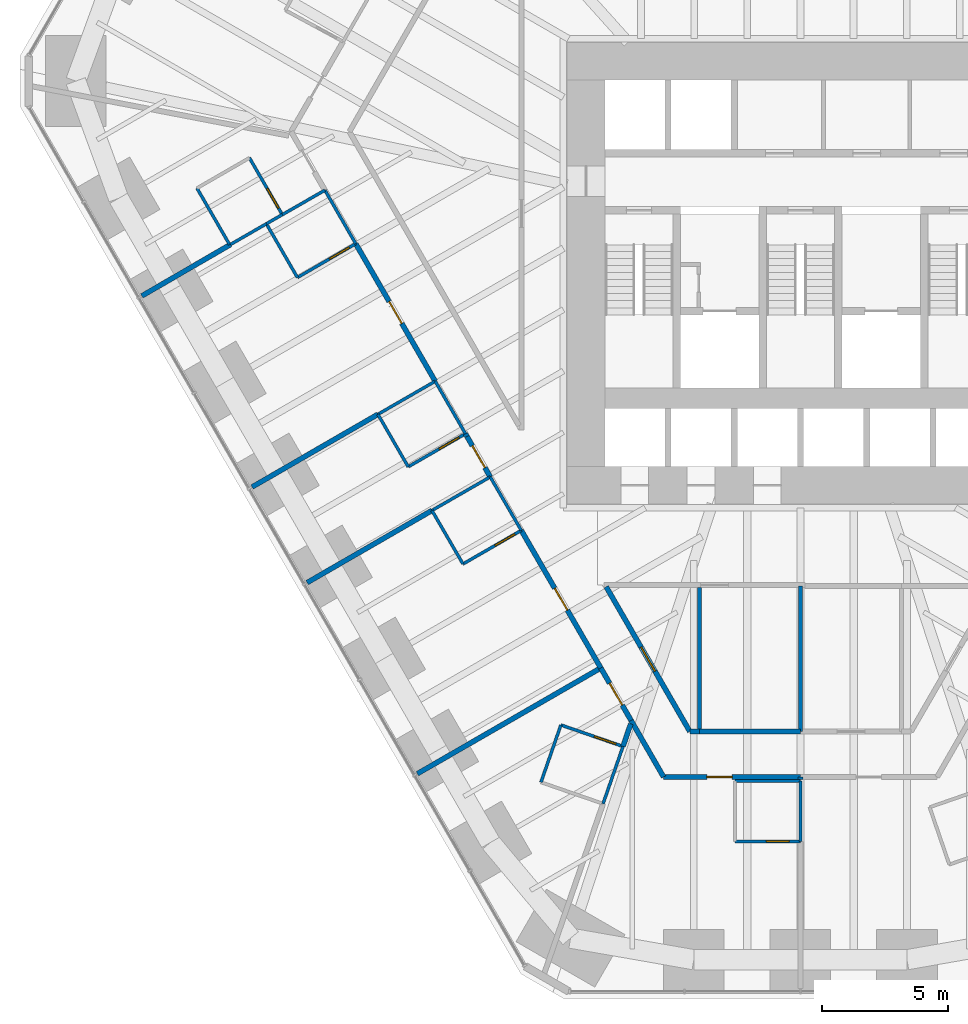
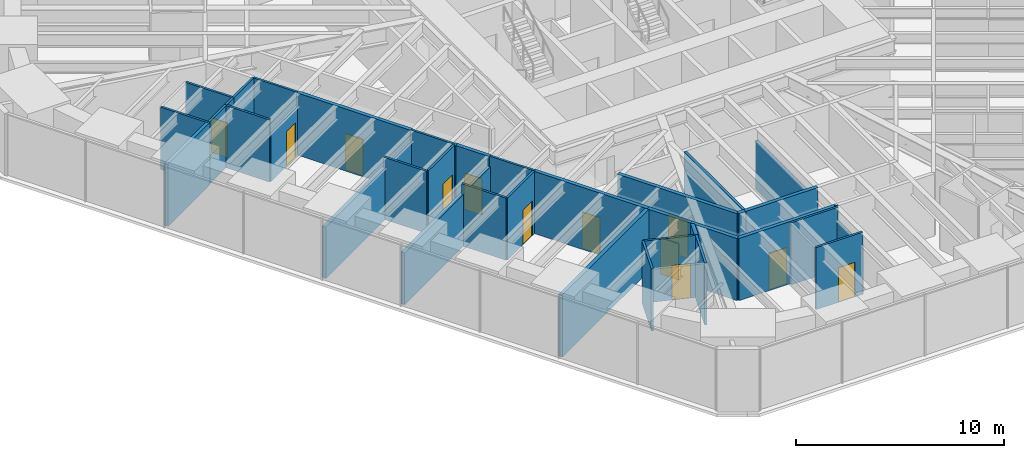
# One storey, part 11 of 17: 40 walls, 12 doors, 12 openings.
"""IFC4 building model written with IfcOpenShell, lengths in metres."""

from ifc_helpers import new_model, si_unit, direction, frame, frame_2d, origin, place, context, subcontext, project, spatial, rectangle, extrude, material, layer, layer_set, type_object, element, fill, save


model = new_model("IFC4")

# Units and contexts
model_context = context("Model", 3, precision=1e-05, world=origin(), true_north=direction((0.0, 1.0)))
body_context = subcontext(model_context, "Body", "Model", "MODEL_VIEW")
ifc_project = project(units=[si_unit("LENGTHUNIT", "METRE"), si_unit("AREAUNIT", "SQUARE_METRE"), si_unit("VOLUMEUNIT", "CUBIC_METRE"), si_unit("PLANEANGLEUNIT", "RADIAN"), si_unit("MASSUNIT", "GRAM", prefix="KILO")], contexts=[model_context])

# Site, building, storey
site_placement = place(None, origin())
site = spatial("IfcSite", under=ifc_project, at=site_placement, CompositionType="ELEMENT")
building_placement = place(site_placement, origin())
building = spatial("IfcBuilding", under=site, at=building_placement, Name="Sandreach Pilgrim Tower", CompositionType="ELEMENT")
storey_placement = place(building_placement, frame((0.0, 0.0, 26.800048828125)))
storey = spatial("IfcBuildingStorey", under=building, at=storey_placement, Name="L05", CompositionType="ELEMENT", Elevation=26.800048828125)

# Walls
ifc_material_1 = material(Name="Gypsum board on steel studs", Category="steel")
ifc_layer_1 = layer(ifc_material_1, 0.14990234375)
ifc_layer_set_1 = layer_set([ifc_layer_1], Name="Back of house wall 150")
wall_type_1 = type_object("IfcWallType", Name="Back of house wall 150", PredefinedType="PARTITIONING", material=ifc_layer_set_1)
wall_1_placement = place(storey_placement, frame((-4.0, -14.0, 0.0), z_axis=(0.0, 0.0, 1.0), x_axis=(0.0, -1.0, 0.0)))
element("IfcWall", 1, at=wall_1_placement, inside=storey, type_object=wall_type_1, Name="Back of house wall L05-068", PredefinedType="PARTITIONING", context=body_context, shape_type="SweptSolid", body=[
    extrude(rectangle(XDim=5.7099609375, YDim=0.14990234375, at=frame_2d((2.85498046875, 0.0))), origin(), (0.0, 0.0, 1.0), 3.639892578125),
])
wall_2_placement = place(storey_placement, frame((0.0, -13.949951171875, 0.0), z_axis=(0.0, 0.0, 1.0), x_axis=(0.0, -1.0, 0.0)))
element("IfcWall", 2, at=wall_2_placement, inside=storey, type_object=wall_type_1, Name="Back of house wall L05-083", PredefinedType="PARTITIONING", context=body_context, shape_type="SweptSolid", body=[
    extrude(rectangle(XDim=5.760009765625, YDim=0.14990234375, at=frame_2d((2.8798828125, 0.0))), origin(), (0.0, 0.0, 1.0), 2.860107421875),
])
ifc_material_2 = material(Name="Moisture-resistant gypsum board on steel studs", Category="steel")
ifc_layer_2 = layer(ifc_material_2, 0.1201171875)
ifc_layer_set_2 = layer_set([ifc_layer_2], Name="Bathroom partition 120")
wall_type_2 = type_object("IfcWallType", Name="Bathroom partition 120", PredefinedType="PARTITIONING", material=ifc_layer_set_2)
wall_3_placement = place(storey_placement, frame((-23.909912109375, 1.820068359375, 0.0), z_axis=(0.0, 0.0, 1.0), x_axis=(0.50026500294, -0.865872350196, 0.0)))
element("IfcWall", 3, at=wall_3_placement, inside=storey, type_object=wall_type_2, Name="Bathroom partition L05-004", PredefinedType="PARTITIONING", context=body_context, shape_type="SweptSolid", body=[
    extrude(rectangle(XDim=2.58349609375, YDim=0.1201171875, at=frame_2d((1.291748046875, 0.0))), origin(), (0.0, 0.0, 1.0), 3.639892578125),
])
wall_4_placement = place(storey_placement, frame((-22.580078125, -0.409912109375, 0.0), z_axis=(0.0, 0.0, 1.0), x_axis=(0.866054188497, 0.499950140102, 0.0)))
element("IfcWall", 4, at=wall_4_placement, inside=storey, type_object=wall_type_2, Name="Bathroom partition L05-005", PredefinedType="PARTITIONING", context=body_context, shape_type="SweptSolid", body=[
    extrude(rectangle(XDim=1.639892578125, YDim=0.1201171875, at=frame_2d((0.81982421875, 0.0))), origin(), (0.0, 0.0, 1.0), 3.639892578125),
])
wall_5_placement = place(storey_placement, frame((-21.159912109375, 0.409912109375, 0.0), z_axis=(0.0, 0.0, 1.0), x_axis=(0.868139588385, 0.496320113515, 0.0)))
element("IfcWall", 5, at=wall_5_placement, inside=storey, type_object=wall_type_2, Name="Bathroom partition L05-008", PredefinedType="PARTITIONING", context=body_context, shape_type="SweptSolid", body=[
    extrude(rectangle(XDim=0.7255859375, YDim=0.1201171875, at=frame_2d((0.36279296875, 0.0))), origin(), (0.0, 0.0, 1.0), 3.639892578125),
])
wall_6_placement = place(storey_placement, frame((-21.159912109375, 0.409912109375, 0.0), z_axis=(0.0, 0.0, 1.0), x_axis=(0.500089055364, -0.86597398154, 0.0)))
element("IfcWall", 6, at=wall_6_placement, inside=storey, type_object=wall_type_2, Name="Bathroom partition L05-009", PredefinedType="PARTITIONING", context=body_context, shape_type="SweptSolid", body=[
    extrude(rectangle(XDim=2.45947265625, YDim=0.1201171875, at=frame_2d((1.229736328125, 0.0))), origin(), (0.0, 0.0, 1.0), 3.639892578125),
])

# Wall, opening, door
wall_7_placement = place(storey_placement, frame((-20.530029296875, 0.77001953125, 0.0), z_axis=(0.0, 0.0, 1.0), x_axis=(-0.500291685314, 0.865856933682, 0.0)))
wall_7 = element("IfcWall", 7, at=wall_7_placement, inside=storey, type_object=wall_type_2, Name="Bathroom partition L05-010", PredefinedType="PARTITIONING", context=body_context, shape_type="SweptSolid", body=[
    extrude(rectangle(XDim=2.5986328125, YDim=0.1201171875, at=frame_2d((1.29931640625, 0.0))), origin(), (0.0, 0.0, 1.0), 3.639892578125),
])
opening_1_placement = place(wall_7_placement, frame((0.300048828125, 0.0, 0.0)))
opening_1 = element("IfcOpeningElement", 8, at=opening_1_placement, cuts=wall_7, Name="Opening D09-19B", PredefinedType="OPENING", context=body_context, shape_type="SweptSolid", body=[
    extrude(rectangle(XDim=0.89990234375, YDim=2.030029296875, at=frame_2d((0.449951171875, 1.01513671875))), frame((0.0, 0.06005859375, 0.0), z_axis=(0.0, -1.0, 0.0), x_axis=(1.0, 0.0, 0.0)), (0.0, 0.0, 1.0), 0.1201171875),
])
ifc_material_3 = material(Name="Timber door, steel frame", Category="steel")
door_type_1 = type_object("IfcDoorType", Name="Bathroom door", OperationType="SINGLE_SWING_LEFT", PredefinedType="DOOR", material=ifc_material_3)
door_1_placement = place(opening_1_placement, origin())
door_1 = element("IfcDoor", 9, at=door_1_placement, inside=storey, type_object=door_type_1, Name="Door 0519B", OperationType="SINGLE_SWING_LEFT", OverallHeight=2.030029296875, OverallWidth=0.89990234375, PredefinedType="DOOR", context=body_context, shape_type="SweptSolid", body=[
    extrude(rectangle(XDim=0.89990234375, YDim=2.030029296875, at=frame_2d((0.449951171875, 1.01513671875))), frame((0.0, 0.02490234375, 0.0), z_axis=(0.0, -1.0, 0.0), x_axis=(1.0, 0.0, 0.0)), (0.0, 0.0, 1.0), 0.050048828125),
])
fill(opening_1, door_1)

# Wall
wall_8_placement = place(storey_placement, frame((-20.530029296875, 0.77001953125, 0.0), z_axis=(0.0, 0.0, 1.0), x_axis=(0.867293167797, 0.497797711016, 0.0)))
element("IfcWall", 10, at=wall_8_placement, inside=storey, type_object=wall_type_2, Name="Bathroom partition L05-011", PredefinedType="PARTITIONING", context=body_context, shape_type="SweptSolid", body=[
    extrude(rectangle(XDim=1.948486328125, YDim=0.1201171875, at=frame_2d((0.97412109375, 0.0))), origin(), (0.0, 0.0, 1.0), 3.639892578125),
])

# Wall, opening, door
wall_9_placement = place(storey_placement, frame((-19.929931640625, -1.719970703125, 0.0), z_axis=(0.0, 0.0, 1.0), x_axis=(0.865006586495, 0.501760505939, 0.0)))
wall_9 = element("IfcWall", 11, at=wall_9_placement, inside=storey, type_object=wall_type_2, Name="Bathroom partition L05-016", PredefinedType="PARTITIONING", context=body_context, shape_type="SweptSolid", body=[
    extrude(rectangle(XDim=2.670166015625, YDim=0.1201171875, at=frame_2d((1.3349609375, 0.0))), origin(), (0.0, 0.0, 1.0), 2.8779296875),
])
opening_2_placement = place(wall_9_placement, frame((1.470458984375, 0.0, 0.0)))
opening_2 = element("IfcOpeningElement", 12, at=opening_2_placement, cuts=wall_9, Name="Opening D09-18B", PredefinedType="OPENING", context=body_context, shape_type="SweptSolid", body=[
    extrude(rectangle(XDim=0.89990234375, YDim=2.030029296875, at=frame_2d((0.449951171875, 1.01513671875))), frame((0.0, 0.06005859375, 0.0), z_axis=(0.0, -1.0, 0.0), x_axis=(1.0, 0.0, 0.0)), (0.0, 0.0, 1.0), 0.1201171875),
])
door_2_placement = place(opening_2_placement, origin())
door_2 = element("IfcDoor", 13, at=door_2_placement, inside=storey, type_object=door_type_1, Name="Door 0518B", OperationType="SINGLE_SWING_RIGHT", OverallHeight=2.030029296875, OverallWidth=0.89990234375, PredefinedType="DOOR", context=body_context, shape_type="SweptSolid", body=[
    extrude(rectangle(XDim=0.89990234375, YDim=2.030029296875, at=frame_2d((0.449951171875, 1.01513671875))), frame((0.0, 0.02490234375, 0.0), z_axis=(0.0, -1.0, 0.0), x_axis=(1.0, 0.0, 0.0)), (0.0, 0.0, 1.0), 0.050048828125),
])
fill(opening_2, door_2)

# Walls
wall_10_placement = place(storey_placement, frame((-18.840087890625, 1.739990234375, 0.0), z_axis=(0.0, 0.0, 1.0), x_axis=(0.498791783817, -0.866721844883, 0.0)))
element("IfcWall", 14, at=wall_10_placement, inside=storey, type_object=wall_type_2, Name="Bathroom partition L05-020", PredefinedType="PARTITIONING", context=body_context, shape_type="SweptSolid", body=[
    extrude(rectangle(XDim=2.44580078125, YDim=0.1201171875, at=frame_2d((1.222900390625, 0.0))), origin(), (0.0, 0.0, 1.0), 3.639892578125),
])
wall_11_placement = place(storey_placement, frame((-16.739990234375, -7.139892578125, 0.0), z_axis=(0.0, 0.0, 1.0), x_axis=(0.499693115345, -0.866202511239, 0.0)))
element("IfcWall", 15, at=wall_11_placement, inside=storey, type_object=wall_type_2, Name="Bathroom partition L05-028", PredefinedType="PARTITIONING", context=body_context, shape_type="SweptSolid", body=[
    extrude(rectangle(XDim=2.4013671875, YDim=0.1201171875, at=frame_2d((1.20068359375, 0.0))), origin(), (0.0, 0.0, 1.0), 3.639892578125),
])
wall_12_placement = place(storey_placement, frame((-16.739990234375, -7.139892578125, 0.0), z_axis=(0.0, 0.0, 1.0), x_axis=(0.866154567199, 0.49977621564, 0.0)))
element("IfcWall", 16, at=wall_12_placement, inside=storey, type_object=wall_type_2, Name="Bathroom partition L05-029", PredefinedType="PARTITIONING", context=body_context, shape_type="SweptSolid", body=[
    extrude(rectangle(XDim=2.620849609375, YDim=0.1201171875, at=frame_2d((1.310546875, 0.0))), origin(), (0.0, 0.0, 1.0), 3.022705078125),
])

# Wall, opening, door
wall_13_placement = place(storey_placement, frame((-15.5400390625, -9.219970703125, 0.0), z_axis=(0.0, 0.0, 1.0), x_axis=(0.866114241029, 0.499846097802, 0.0)))
wall_13 = element("IfcWall", 17, at=wall_13_placement, inside=storey, type_object=wall_type_2, Name="Bathroom partition L05-031", PredefinedType="PARTITIONING", context=body_context, shape_type="SweptSolid", body=[
    extrude(rectangle(XDim=2.620849609375, YDim=0.1201171875, at=frame_2d((1.310546875, 0.0))), origin(), (0.0, 0.0, 1.0), 3.639892578125),
])
opening_3_placement = place(wall_13_placement, frame((1.4208984375, 0.0, 0.0)))
opening_3 = element("IfcOpeningElement", 18, at=opening_3_placement, cuts=wall_13, Name="Opening D09-17B", PredefinedType="OPENING", context=body_context, shape_type="SweptSolid", body=[
    extrude(rectangle(XDim=0.89990234375, YDim=2.030029296875, at=frame_2d((0.449951171875, 1.01513671875))), frame((0.0, 0.06005859375, 0.0), z_axis=(0.0, -1.0, 0.0), x_axis=(1.0, 0.0, 0.0)), (0.0, 0.0, 1.0), 0.1201171875),
])
door_3_placement = place(opening_3_placement, origin())
door_3 = element("IfcDoor", 19, at=door_3_placement, inside=storey, type_object=door_type_1, Name="Door 0517B", OperationType="SINGLE_SWING_RIGHT", OverallHeight=2.030029296875, OverallWidth=0.89990234375, PredefinedType="DOOR", context=body_context, shape_type="SweptSolid", body=[
    extrude(rectangle(XDim=0.89990234375, YDim=2.030029296875, at=frame_2d((0.449951171875, 1.01513671875))), frame((0.0, 0.02490234375, 0.0), z_axis=(0.0, -1.0, 0.0), x_axis=(1.0, 0.0, 0.0)), (0.0, 0.0, 1.0), 0.050048828125),
])
fill(opening_3, door_3)

# Walls
wall_14_placement = place(storey_placement, frame((-14.60009765625, -10.949951171875, 0.0), z_axis=(0.0, 0.0, 1.0), x_axis=(0.501888006485, -0.864932615264, 0.0)))
element("IfcWall", 20, at=wall_14_placement, inside=storey, type_object=wall_type_2, Name="Bathroom partition L05-033", PredefinedType="PARTITIONING", context=body_context, shape_type="SweptSolid", body=[
    extrude(rectangle(XDim=2.451171875, YDim=0.1201171875, at=frame_2d((1.2255859375, 0.0))), origin(), (0.0, 0.0, 1.0), 3.639892578125),
])
wall_15_placement = place(storey_placement, frame((-14.60009765625, -10.949951171875, 0.0), z_axis=(0.0, 0.0, 1.0), x_axis=(0.866654860089, 0.498908161372, 0.0)))
element("IfcWall", 21, at=wall_15_placement, inside=storey, type_object=wall_type_2, Name="Bathroom partition L05-034", PredefinedType="PARTITIONING", context=body_context, shape_type="SweptSolid", body=[
    extrude(rectangle(XDim=2.66552734375, YDim=0.1201171875, at=frame_2d((1.332763671875, 0.0))), origin(), (0.0, 0.0, 1.0), 3.0380859375),
])
wall_16_placement = place(storey_placement, frame((-14.469970703125, -5.830078125, 0.0), z_axis=(0.0, 0.0, 1.0), x_axis=(0.499737123639, -0.866177122335, 0.0)))
element("IfcWall", 22, at=wall_16_placement, inside=storey, type_object=wall_type_2, Name="Bathroom partition L05-035", PredefinedType="PARTITIONING", context=body_context, shape_type="SweptSolid", body=[
    extrude(rectangle(XDim=2.401123046875, YDim=0.1201171875, at=frame_2d((1.20068359375, 0.0))), origin(), (0.0, 0.0, 1.0), 3.639892578125),
])

# Wall, opening, door
wall_17_placement = place(storey_placement, frame((-13.3701171875, -13.070068359375, 0.0), z_axis=(0.0, 0.0, 1.0), x_axis=(0.866615255992, 0.498976951453, 0.0)))
wall_17 = element("IfcWall", 23, at=wall_17_placement, inside=storey, type_object=wall_type_2, Name="Bathroom partition L05-038", PredefinedType="PARTITIONING", context=body_context, shape_type="SweptSolid", body=[
    extrude(rectangle(XDim=2.66552734375, YDim=0.1201171875, at=frame_2d((1.332763671875, 0.0))), origin(), (0.0, 0.0, 1.0), 3.639892578125),
])
opening_4_placement = place(wall_17_placement, frame((1.465576171875, 0.0, 0.0)))
opening_4 = element("IfcOpeningElement", 24, at=opening_4_placement, cuts=wall_17, Name="Opening D09-16B", PredefinedType="OPENING", context=body_context, shape_type="SweptSolid", body=[
    extrude(rectangle(XDim=0.89990234375, YDim=2.030029296875, at=frame_2d((0.449951171875, 1.01513671875))), frame((0.0, 0.06005859375, 0.0), z_axis=(0.0, -1.0, 0.0), x_axis=(1.0, 0.0, 0.0)), (0.0, 0.0, 1.0), 0.1201171875),
])
door_4_placement = place(opening_4_placement, origin())
door_4 = element("IfcDoor", 25, at=door_4_placement, inside=storey, type_object=door_type_1, Name="Door 0516B", OperationType="SINGLE_SWING_RIGHT", OverallHeight=2.030029296875, OverallWidth=0.89990234375, PredefinedType="DOOR", context=body_context, shape_type="SweptSolid", body=[
    extrude(rectangle(XDim=0.89990234375, YDim=2.030029296875, at=frame_2d((0.449951171875, 1.01513671875))), frame((0.0, 0.02490234375, 0.0), z_axis=(0.0, -1.0, 0.0), x_axis=(1.0, 0.0, 0.0)), (0.0, 0.0, 1.0), 0.050048828125),
])
fill(opening_4, door_4)

# Walls
wall_18_placement = place(storey_placement, frame((-12.2900390625, -9.6201171875, 0.0), z_axis=(0.0, 0.0, 1.0), x_axis=(0.501856726365, -0.86495076519, 0.0)))
element("IfcWall", 26, at=wall_18_placement, inside=storey, type_object=wall_type_2, Name="Bathroom partition L05-043", PredefinedType="PARTITIONING", context=body_context, shape_type="SweptSolid", body=[
    extrude(rectangle(XDim=2.450927734375, YDim=0.1201171875, at=frame_2d((1.2255859375, 0.0))), origin(), (0.0, 0.0, 1.0), 3.639892578125),
])
for number, where, z_axis, x_axis, name in (
    (27, (-9.489990234375, -19.449951171875, 0.0), (0.0, 0.0, 1.0), (-0.328693963496, -0.944436487203, 0.0), "Bathroom partition L05-052"),
    (28, (-7.820068359375, -22.570068359375, 0.0), (0.0, 0.0, 1.0), (0.328693963496, 0.944436487203, 0.0), "Bathroom partition L05-059"),
):
    element("IfcWall", number, at=place(storey_placement, frame(where, z_axis=z_axis, x_axis=x_axis)), inside=storey, type_object=wall_type_2, Name=name, PredefinedType="PARTITIONING", context=body_context, shape_type="SweptSolid", body=[
        extrude(rectangle(XDim=2.403564453125, YDim=0.1201171875, at=frame_2d((1.20166015625, 0.0))), origin(), (0.0, 0.0, 1.0), 3.639892578125),
    ])

# Wall, opening, door
wall_19_placement = place(storey_placement, frame((-7.030029296875, -20.300048828125, 0.0), z_axis=(0.0, 0.0, 1.0), x_axis=(-0.94515546045, 0.326620813149, 0.0)))
wall_19 = element("IfcWall", 29, at=wall_19_placement, inside=storey, type_object=wall_type_2, Name="Bathroom partition L05-060", PredefinedType="PARTITIONING", context=body_context, shape_type="SweptSolid", body=[
    extrude(rectangle(XDim=2.602783203125, YDim=0.1201171875, at=frame_2d((1.30126953125, 0.0))), origin(), (0.0, 0.0, 1.0), 3.639892578125),
])
opening_5_placement = place(wall_19_placement, frame((0.300048828125, 0.0, 0.0)))
opening_5 = element("IfcOpeningElement", 30, at=opening_5_placement, cuts=wall_19, Name="Opening D09-15B", PredefinedType="OPENING", context=body_context, shape_type="SweptSolid", body=[
    extrude(rectangle(XDim=0.89990234375, YDim=2.030029296875, at=frame_2d((0.449951171875, 1.01513671875))), frame((0.0, 0.06005859375, 0.0), z_axis=(0.0, -1.0, 0.0), x_axis=(1.0, 0.0, 0.0)), (0.0, 0.0, 1.0), 0.1201171875),
])
door_5_placement = place(opening_5_placement, origin())
door_5 = element("IfcDoor", 31, at=door_5_placement, inside=storey, type_object=door_type_1, Name="Door 0515B", OperationType="SINGLE_SWING_LEFT", OverallHeight=2.030029296875, OverallWidth=0.89990234375, PredefinedType="DOOR", context=body_context, shape_type="SweptSolid", body=[
    extrude(rectangle(XDim=0.89990234375, YDim=2.030029296875, at=frame_2d((0.449951171875, 1.01513671875))), frame((0.0, 0.02490234375, 0.0), z_axis=(0.0, -1.0, 0.0), x_axis=(1.0, 0.0, 0.0)), (0.0, 0.0, 1.0), 0.050048828125),
])
fill(opening_5, door_5)

wall_20_placement = place(storey_placement, frame((-2.60009765625, -24.06005859375, 0.0), z_axis=(0.0, 0.0, 1.0), x_axis=(1.0, 0.0, 0.0)))
wall_20 = element("IfcWall", 32, at=wall_20_placement, inside=storey, type_object=wall_type_2, Name="Bathroom partition L05-069", PredefinedType="PARTITIONING", context=body_context, shape_type="SweptSolid", body=[
    extrude(rectangle(XDim=2.60009765625, YDim=0.1201171875, at=frame_2d((1.300048828125, 0.0))), origin(), (0.0, 0.0, 1.0), 3.639892578125),
])
opening_6_placement = place(wall_20_placement, frame((1.25, 0.0, 0.0)))
opening_6 = element("IfcOpeningElement", 33, at=opening_6_placement, cuts=wall_20, Name="Opening D09-14B", PredefinedType="OPENING", context=body_context, shape_type="SweptSolid", body=[
    extrude(rectangle(XDim=0.89990234375, YDim=2.030029296875, at=frame_2d((0.449951171875, 1.01513671875))), frame((0.0, 0.06005859375, 0.0), z_axis=(0.0, -1.0, 0.0), x_axis=(1.0, 0.0, 0.0)), (0.0, 0.0, 1.0), 0.1201171875),
])
door_6_placement = place(opening_6_placement, origin())
door_6 = element("IfcDoor", 34, at=door_6_placement, inside=storey, type_object=door_type_1, Name="Door 0514B", OperationType="SINGLE_SWING_RIGHT", OverallHeight=2.030029296875, OverallWidth=0.89990234375, PredefinedType="DOOR", context=body_context, shape_type="SweptSolid", body=[
    extrude(rectangle(XDim=0.89990234375, YDim=2.030029296875, at=frame_2d((0.449951171875, 1.01513671875))), frame((0.0, 0.02490234375, 0.0), z_axis=(0.0, -1.0, 0.0), x_axis=(1.0, 0.0, 0.0)), (0.0, 0.0, 1.0), 0.050048828125),
])
fill(opening_6, door_6)

# Walls
wall_21_placement = place(storey_placement, frame((0.0, -24.06005859375, 0.0), z_axis=(0.0, 0.0, 1.0), x_axis=(0.0, 1.0, 0.0)))
element("IfcWall", 35, at=wall_21_placement, inside=storey, type_object=wall_type_2, Name="Bathroom partition L05-078", PredefinedType="PARTITIONING", context=body_context, shape_type="SweptSolid", body=[
    extrude(rectangle(XDim=2.400146484375, YDim=0.1201171875, at=frame_2d((1.2001953125, 0.0))), origin(), (0.0, 0.0, 1.0), 2.860107421875),
])
wall_22_placement = place(storey_placement, frame((0.0, -21.659912109375, 0.0), z_axis=(0.0, 0.0, 1.0), x_axis=(-1.0, 0.0, 0.0)))
element("IfcWall", 36, at=wall_22_placement, inside=storey, type_object=wall_type_2, Name="Bathroom partition L05-079", PredefinedType="PARTITIONING", context=body_context, shape_type="SweptSolid", body=[
    extrude(rectangle(XDim=2.60009765625, YDim=0.1201171875, at=frame_2d((1.300048828125, 0.0))), origin(), (0.0, 0.0, 1.0), 3.639892578125),
])

# Wall, opening, door
ifc_material_4 = material(Name="Gypsum board on steel studs, two layers each side", Category="steel")
ifc_layer_3 = layer(ifc_material_4, 0.199951171875)
ifc_layer_set_3 = layer_set([ifc_layer_3], Name="Corridor wall 200")
wall_type_3 = type_object("IfcWallType", Name="Corridor wall 200", PredefinedType="PARTITIONING", material=ifc_layer_set_3)
wall_23_placement = place(storey_placement, frame((-17.6201171875, -0.3798828125, 0.0), z_axis=(0.0, 0.0, 1.0), x_axis=(0.500413927211, -0.865786290867, 0.0)))
wall_23 = element("IfcWall", 37, at=wall_23_placement, inside=storey, type_object=wall_type_3, Name="Corridor wall L05-024", PredefinedType="PARTITIONING", context=body_context, shape_type="SweptSolid", body=[
    extrude(rectangle(XDim=6.295166015625, YDim=0.199951171875, at=frame_2d((3.1474609375, 0.0))), origin(), (0.0, 0.0, 1.0), 3.639892578125),
])
opening_7_placement = place(wall_23_placement, frame((2.6474609375, 0.0, 0.0)))
opening_7 = element("IfcOpeningElement", 38, at=opening_7_placement, cuts=wall_23, Name="Opening D10-18", PredefinedType="OPENING", context=body_context, shape_type="SweptSolid", body=[
    extrude(rectangle(XDim=1.0, YDim=2.1298828125, at=frame_2d((0.5, 1.06494140625))), frame((0.0, 0.10009765625, 0.0), z_axis=(0.0, -1.0, 0.0), x_axis=(1.0, 0.0, 0.0)), (0.0, 0.0, 1.0), 0.199951171875),
])
ifc_material_5 = material(Name="Steel door and frame", Category="steel")
door_type_2 = type_object("IfcDoorType", Name="Guest room entry door", OperationType="SINGLE_SWING_LEFT", PredefinedType="DOOR", material=ifc_material_5)
door_7_placement = place(opening_7_placement, origin())
door_7 = element("IfcDoor", 39, at=door_7_placement, inside=storey, type_object=door_type_2, Name="Door 0518", OperationType="SINGLE_SWING_LEFT", OverallHeight=2.1298828125, OverallWidth=1.0, PredefinedType="DOOR", context=body_context, shape_type="SweptSolid", body=[
    extrude(rectangle(XDim=1.0, YDim=2.1298828125, at=frame_2d((0.5, 1.06494140625))), frame((0.0, 0.02490234375, 0.0), z_axis=(0.0, -1.0, 0.0), x_axis=(1.0, 0.0, 0.0)), (0.0, 0.0, 1.0), 0.050048828125),
])
fill(opening_7, door_7)

# Wall
wall_24_placement = place(storey_placement, frame((-13.27001953125, -7.909912109375, 0.0), z_axis=(0.0, 0.0, 1.0), x_axis=(0.478852130681, -0.877895572914, 0.0)))
element("IfcWall", 40, at=wall_24_placement, inside=storey, type_object=wall_type_3, Name="Corridor wall L05-039", PredefinedType="PARTITIONING", context=body_context, shape_type="SweptSolid", body=[
    extrude(rectangle(XDim=0.12548828125, YDim=0.199951171875, at=frame_2d((0.062744140625, 0.0))), origin(), (0.0, 0.0, 1.0), 3.639892578125),
])

# Wall, opening, door
wall_25_placement = place(storey_placement, frame((-13.2099609375, -8.02001953125, 0.0), z_axis=(0.0, 0.0, 1.0), x_axis=(0.498473609767, -0.866904873885, 0.0)))
wall_25 = element("IfcWall", 41, at=wall_25_placement, inside=storey, type_object=wall_type_3, Name="Corridor wall L05-040", PredefinedType="PARTITIONING", context=body_context, shape_type="SweptSolid", body=[
    extrude(rectangle(XDim=1.845458984375, YDim=0.199951171875, at=frame_2d((0.9228515625, 0.0))), origin(), (0.0, 0.0, 1.0), 3.639892578125),
])
opening_8_placement = place(wall_25_placement, frame((0.4228515625, 0.0, 0.0)))
opening_8 = element("IfcOpeningElement", 42, at=opening_8_placement, cuts=wall_25, Name="Opening D10-17", PredefinedType="OPENING", context=body_context, shape_type="SweptSolid", body=[
    extrude(rectangle(XDim=1.0, YDim=2.1298828125, at=frame_2d((0.5, 1.06494140625))), frame((0.0, 0.10009765625, 0.0), z_axis=(0.0, -1.0, 0.0), x_axis=(1.0, 0.0, 0.0)), (0.0, 0.0, 1.0), 0.199951171875),
])
door_8_placement = place(opening_8_placement, origin())
door_8 = element("IfcDoor", 43, at=door_8_placement, inside=storey, type_object=door_type_2, Name="Door 0517", OperationType="SINGLE_SWING_LEFT", OverallHeight=2.1298828125, OverallWidth=1.0, PredefinedType="DOOR", context=body_context, shape_type="SweptSolid", body=[
    extrude(rectangle(XDim=1.0, YDim=2.1298828125, at=frame_2d((0.5, 1.06494140625))), frame((0.0, 0.02490234375, 0.0), z_axis=(0.0, -1.0, 0.0), x_axis=(1.0, 0.0, 0.0)), (0.0, 0.0, 1.0), 0.050048828125),
])
fill(opening_8, door_8)

wall_26_placement = place(storey_placement, frame((-11.059814453125, -11.73974609375, 0.0), z_axis=(0.0, 0.0, 1.0), x_axis=(0.500384855356, -0.865803093394, 0.0)))
wall_26 = element("IfcWall", 44, at=wall_26_placement, inside=storey, type_object=wall_type_3, Name="Corridor wall L05-047", PredefinedType="PARTITIONING", context=body_context, shape_type="SweptSolid", body=[
    extrude(rectangle(XDim=6.294921875, YDim=0.199951171875, at=frame_2d((3.1474609375, 0.0))), origin(), (0.0, 0.0, 1.0), 3.639892578125),
])
opening_9_placement = place(wall_26_placement, frame((2.6474609375, 0.0, 0.0)))
opening_9 = element("IfcOpeningElement", 45, at=opening_9_placement, cuts=wall_26, Name="Opening D10-16", PredefinedType="OPENING", context=body_context, shape_type="SweptSolid", body=[
    extrude(rectangle(XDim=1.0, YDim=2.1298828125, at=frame_2d((0.5, 1.06494140625))), frame((0.0, 0.10009765625, 0.0), z_axis=(0.0, -1.0, 0.0), x_axis=(1.0, 0.0, 0.0)), (0.0, 0.0, 1.0), 0.199951171875),
])
door_9_placement = place(opening_9_placement, origin())
door_9 = element("IfcDoor", 46, at=door_9_placement, inside=storey, type_object=door_type_2, Name="Door 0516", OperationType="SINGLE_SWING_LEFT", OverallHeight=2.1298828125, OverallWidth=1.0, PredefinedType="DOOR", context=body_context, shape_type="SweptSolid", body=[
    extrude(rectangle(XDim=1.0, YDim=2.1298828125, at=frame_2d((0.5, 1.06494140625))), frame((0.0, 0.02490234375, 0.0), z_axis=(0.0, -1.0, 0.0), x_axis=(1.0, 0.0, 0.0)), (0.0, 0.0, 1.0), 0.050048828125),
])
fill(opening_9, door_9)

wall_27_placement = place(storey_placement, frame((-7.909912109375, -17.18994140625, 0.0), z_axis=(0.0, 0.0, 1.0), x_axis=(0.499693115345, -0.866202511239, 0.0)))
wall_27 = element("IfcWall", 47, at=wall_27_placement, inside=storey, type_object=wall_type_3, Name="Corridor wall L05-058", PredefinedType="PARTITIONING", context=body_context, shape_type="SweptSolid", body=[
    extrude(rectangle(XDim=2.4013671875, YDim=0.199951171875, at=frame_2d((1.20068359375, 0.0))), origin(), (0.0, 0.0, 1.0), 3.639892578125),
])
opening_10_placement = place(wall_27_placement, frame((0.70068359375, 0.0, 0.0)))
opening_10 = element("IfcOpeningElement", 48, at=opening_10_placement, cuts=wall_27, Name="Opening D10-15", PredefinedType="OPENING", context=body_context, shape_type="SweptSolid", body=[
    extrude(rectangle(XDim=1.0, YDim=2.1298828125, at=frame_2d((0.5, 1.06494140625))), frame((0.0, 0.10009765625, 0.0), z_axis=(0.0, -1.0, 0.0), x_axis=(1.0, 0.0, 0.0)), (0.0, 0.0, 1.0), 0.199951171875),
])
door_10_placement = place(opening_10_placement, origin())
door_10 = element("IfcDoor", 49, at=door_10_placement, inside=storey, type_object=door_type_2, Name="Door 0515", OperationType="SINGLE_SWING_LEFT", OverallHeight=2.1298828125, OverallWidth=1.0, PredefinedType="DOOR", context=body_context, shape_type="SweptSolid", body=[
    extrude(rectangle(XDim=1.0, YDim=2.1298828125, at=frame_2d((0.5, 1.06494140625))), frame((0.0, 0.02490234375, 0.0), z_axis=(0.0, -1.0, 0.0), x_axis=(1.0, 0.0, 0.0)), (0.0, 0.0, 1.0), 0.050048828125),
])
fill(opening_10, door_10)

# Wall
wall_28_placement = place(storey_placement, frame((-5.419921875, -21.510009765625, 0.0), z_axis=(0.0, 0.0, 1.0), x_axis=(-0.499065468721, 0.866564283784, 0.0)))
element("IfcWall", 50, at=wall_28_placement, inside=storey, type_object=wall_type_3, Name="Corridor wall L05-062", PredefinedType="PARTITIONING", context=body_context, shape_type="SweptSolid", body=[
    extrude(rectangle(XDim=2.5849609375, YDim=0.199951171875, at=frame_2d((1.29248046875, 0.0))), origin(), (0.0, 0.0, 1.0), 3.639892578125),
])

# Wall, opening, door
wall_29_placement = place(storey_placement, frame((-5.419921875, -21.510009765625, 0.0), z_axis=(0.0, 0.0, 1.0), x_axis=(1.0, 0.0, 0.0)))
wall_29 = element("IfcWall", 51, at=wall_29_placement, inside=storey, type_object=wall_type_3, Name="Corridor wall L05-063", PredefinedType="PARTITIONING", context=body_context, shape_type="SweptSolid", body=[
    extrude(rectangle(XDim=5.419921875, YDim=0.199951171875, at=frame_2d((2.7099609375, 0.0))), origin(), (0.0, 0.0, 1.0), 3.639892578125),
])
opening_11_placement = place(wall_29_placement, frame((1.7099609375, 0.0, 0.0)))
opening_11 = element("IfcOpeningElement", 52, at=opening_11_placement, cuts=wall_29, Name="Opening D10-14", PredefinedType="OPENING", context=body_context, shape_type="SweptSolid", body=[
    extrude(rectangle(XDim=1.0, YDim=2.1298828125, at=frame_2d((0.5, 1.06494140625))), frame((0.0, 0.10009765625, 0.0), z_axis=(0.0, -1.0, 0.0), x_axis=(1.0, 0.0, 0.0)), (0.0, 0.0, 1.0), 0.199951171875),
])
door_11_placement = place(opening_11_placement, origin())
door_11 = element("IfcDoor", 53, at=door_11_placement, inside=storey, type_object=door_type_2, Name="Door 0514", OperationType="SINGLE_SWING_LEFT", OverallHeight=2.1298828125, OverallWidth=1.0, PredefinedType="DOOR", context=body_context, shape_type="SweptSolid", body=[
    extrude(rectangle(XDim=1.0, YDim=2.1298828125, at=frame_2d((0.5, 1.06494140625))), frame((0.0, 0.02490234375, 0.0), z_axis=(0.0, -1.0, 0.0), x_axis=(1.0, 0.0, 0.0)), (0.0, 0.0, 1.0), 0.050048828125),
])
fill(opening_11, door_11)

wall_30_placement = place(storey_placement, frame((-4.3798828125, -19.7099609375, 0.0), z_axis=(0.0, 0.0, 1.0), x_axis=(-0.500523653757, 0.865722860984, 0.0)))
wall_30 = element("IfcWall", 54, at=wall_30_placement, inside=storey, type_object=wall_type_3, Name="Corridor wall L05-066", PredefinedType="PARTITIONING", context=body_context, shape_type="SweptSolid", body=[
    extrude(rectangle(XDim=6.62841796875, YDim=0.199951171875, at=frame_2d((3.314208984375, 0.0))), origin(), (0.0, 0.0, 1.0), 3.639892578125),
])
opening_12_placement = place(wall_30_placement, frame((2.76416015625, 0.0, 0.0)))
opening_12 = element("IfcOpeningElement", 55, at=opening_12_placement, cuts=wall_30, Name="Opening D11H-S1", PredefinedType="OPENING", context=body_context, shape_type="SweptSolid", body=[
    extrude(rectangle(XDim=1.10009765625, YDim=2.199951171875, at=frame_2d((0.550048828125, 1.10009765625))), frame((0.0, 0.10009765625, 0.0), z_axis=(0.0, -1.0, 0.0), x_axis=(1.0, 0.0, 0.0)), (0.0, 0.0, 1.0), 0.199951171875),
])
ifc_material_6 = material(Name="Steel door and frame", Category="steel")
door_type_3 = type_object("IfcDoorType", Name="Back of house door", OperationType="SINGLE_SWING_LEFT", PredefinedType="DOOR", material=ifc_material_6)
door_12_placement = place(opening_12_placement, origin())
door_12 = element("IfcDoor", 56, at=door_12_placement, inside=storey, type_object=door_type_3, Name="Door 05S1", OperationType="SINGLE_SWING_LEFT", OverallHeight=2.199951171875, OverallWidth=1.10009765625, PredefinedType="DOOR", context=body_context, shape_type="SweptSolid", body=[
    extrude(rectangle(XDim=1.10009765625, YDim=2.199951171875, at=frame_2d((0.550048828125, 1.10009765625))), frame((0.0, 0.02490234375, 0.0), z_axis=(0.0, -1.0, 0.0), x_axis=(1.0, 0.0, 0.0)), (0.0, 0.0, 1.0), 0.050048828125),
])
fill(opening_12, door_12)

# Walls
wall_31_placement = place(storey_placement, frame((-4.0, -19.7099609375, 0.0), z_axis=(0.0, 0.0, 1.0), x_axis=(-1.0, 0.0, 0.0)))
element("IfcWall", 57, at=wall_31_placement, inside=storey, type_object=wall_type_3, Name="Corridor wall L05-067", PredefinedType="PARTITIONING", context=body_context, shape_type="SweptSolid", body=[
    extrude(rectangle(XDim=0.3798828125, YDim=0.199951171875, at=frame_2d((0.18994140625, 0.0))), origin(), (0.0, 0.0, 1.0), 3.639892578125),
])
wall_32_placement = place(storey_placement, frame((0.0, -19.7099609375, 0.0), z_axis=(0.0, 0.0, 1.0), x_axis=(-1.0, 0.0, 0.0)))
element("IfcWall", 58, at=wall_32_placement, inside=storey, type_object=wall_type_3, Name="Corridor wall L05-082", PredefinedType="PARTITIONING", context=body_context, shape_type="SweptSolid", body=[
    extrude(rectangle(XDim=4.0, YDim=0.199951171875, at=frame_2d((2.0, 0.0))), origin(), (0.0, 0.0, 1.0), 3.639892578125),
])
ifc_material_7 = material(Name="Double steel stud acoustic wall, gypsum board", Category="steel")
ifc_layer_4 = layer(ifc_material_7, 0.199951171875)
ifc_layer_set_4 = layer_set([ifc_layer_4], Name="Party wall 200")
wall_type_4 = type_object("IfcWallType", Name="Party wall 200", PredefinedType="PARTITIONING", material=ifc_layer_set_4)
wall_33_placement = place(storey_placement, frame((-26.09619140625, -2.44970703125, 0.0), z_axis=(0.0, 0.0, 1.0), x_axis=(0.864983223647, 0.501800780001, 0.0)))
element("IfcWall", 59, at=wall_33_placement, inside=storey, type_object=wall_type_4, Name="Party wall L05-002", PredefinedType="PARTITIONING", context=body_context, shape_type="SweptSolid", body=[
    extrude(rectangle(XDim=4.06494140625, YDim=0.199951171875, at=frame_2d((2.032470703125, 0.0))), origin(), (0.0, 0.0, 1.0), 3.639892578125),
])
wall_34_placement = place(storey_placement, frame((-21.72607421875, -10.02001953125, 0.0), z_axis=(0.0, 0.0, 1.0), x_axis=(0.865919350456, 0.50018364478, 0.0)))
element("IfcWall", 60, at=wall_34_placement, inside=storey, type_object=wall_type_4, Name="Party wall L05-007", PredefinedType="PARTITIONING", context=body_context, shape_type="SweptSolid", body=[
    extrude(rectangle(XDim=5.758056640625, YDim=0.199951171875, at=frame_2d((2.87890625, 0.0))), origin(), (0.0, 0.0, 1.0), 3.022705078125),
])
wall_35_placement = place(storey_placement, frame((-19.546142578125, -13.809814453125, 0.0), z_axis=(0.0, 0.0, 1.0), x_axis=(0.865702137343, 0.500559496364, 0.0)))
element("IfcWall", 61, at=wall_35_placement, inside=storey, type_object=wall_type_4, Name="Party wall L05-017", PredefinedType="PARTITIONING", context=body_context, shape_type="SweptSolid", body=[
    extrude(rectangle(XDim=5.71337890625, YDim=0.199951171875, at=frame_2d((2.856689453125, 0.0))), origin(), (0.0, 0.0, 1.0), 3.0380859375),
])
wall_36_placement = place(storey_placement, frame((-15.176025390625, -21.380126953125, 0.0), z_axis=(0.0, 0.0, 1.0), x_axis=(0.866276837306, 0.49956425127, 0.0)))
element("IfcWall", 62, at=wall_36_placement, inside=storey, type_object=wall_type_4, Name="Party wall L05-032", PredefinedType="PARTITIONING", context=body_context, shape_type="SweptSolid", body=[
    extrude(rectangle(XDim=8.37255859375, YDim=0.199951171875, at=frame_2d((4.186279296875, 0.0))), origin(), (0.0, 0.0, 1.0), 3.639892578125),
])
wall_37_placement = place(storey_placement, frame((-7.030029296875, -20.300048828125, 0.0), z_axis=(0.0, 0.0, 1.0), x_axis=(0.32487799312, 0.945755935528, 0.0)))
element("IfcWall", 63, at=wall_37_placement, inside=storey, type_object=wall_type_4, Name="Party wall L05-061", PredefinedType="PARTITIONING", context=body_context, shape_type="SweptSolid", body=[
    extrude(rectangle(XDim=0.94677734375, YDim=0.199951171875, at=frame_2d((0.473388671875, 0.0))), origin(), (0.0, 0.0, 1.0), 3.639892578125),
])
wall_38_placement = place(storey_placement, frame((0.0, -21.60009765625, 0.0), z_axis=(0.0, 0.0, 1.0), x_axis=(0.0, 1.0, 0.0)))
element("IfcWall", 64, at=wall_38_placement, inside=storey, type_object=wall_type_4, Name="Party wall L05-080", PredefinedType="PARTITIONING", context=body_context, shape_type="SweptSolid", body=[
    extrude(rectangle(XDim=0.090087890625, YDim=0.199951171875, at=frame_2d((0.044921875, 0.0))), origin(), (0.0, 0.0, 1.0), 3.639892578125),
])

save(model, "model.ifc")
